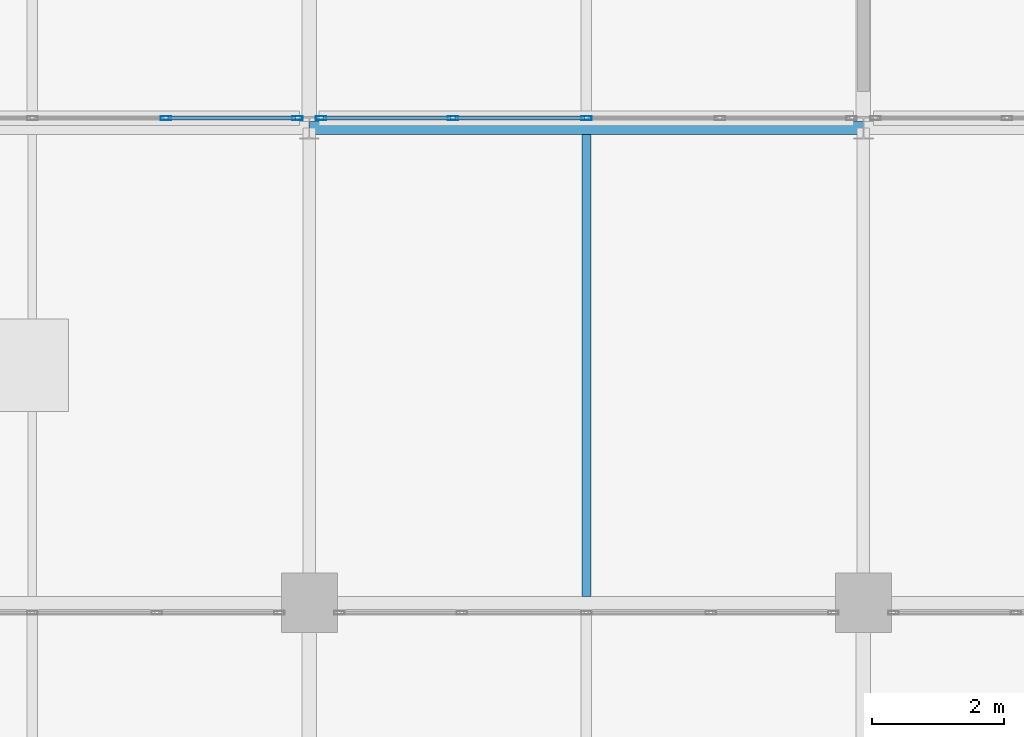
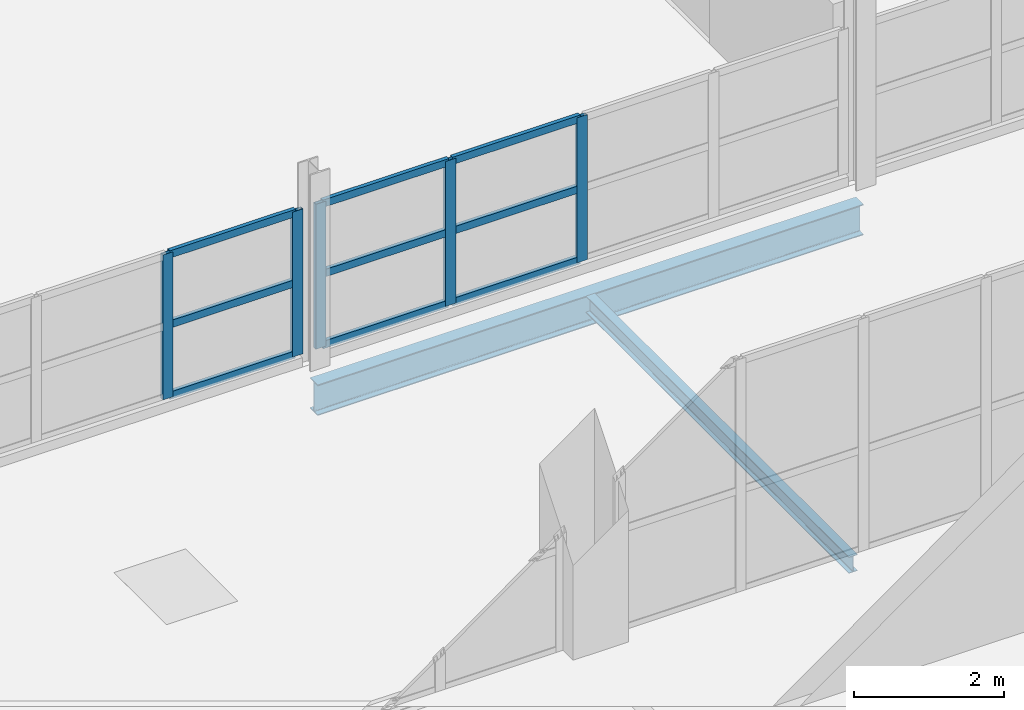
# One storey, part 24 of 103: 14 members, 2 beams, 2 elements without a shape of their own.
"""IFC4 building model written with IfcOpenShell, lengths in metres."""

from ifc_helpers import new_model, si_unit, direction, frame, origin, origin_2d, place, context, subcontext, project, spatial, hollow_rectangle, i_section, extrude, material, material_profile, profile_set, type_object, element, aggregate, save


model = new_model("IFC4")

# Units and contexts
model_context = context("Model", 3, precision=1e-05, world=origin(), true_north=direction((0.0, 1.0)))
body_context = subcontext(model_context, "Body", "Model", "MODEL_VIEW")
ifc_project = project(units=[si_unit("LENGTHUNIT", "METRE"), si_unit("AREAUNIT", "SQUARE_METRE"), si_unit("VOLUMEUNIT", "CUBIC_METRE"), si_unit("PLANEANGLEUNIT", "RADIAN"), si_unit("MASSUNIT", "GRAM", prefix="KILO")], contexts=[model_context])

# Site, building, storey
site_placement = place(None, origin())
site = spatial("IfcSite", under=ifc_project, at=site_placement, CompositionType="ELEMENT")
building_placement = place(site_placement, origin())
building = spatial("IfcBuilding", under=site, at=building_placement, Name="Veltarok Museum of Natural Sciences", CompositionType="ELEMENT")
storey_placement = place(building_placement, frame((0.0, 0.0, 21.89990234375)))
storey = spatial("IfcBuildingStorey", under=building, at=storey_placement, Name="L04", CompositionType="ELEMENT", Elevation=21.89990234375)

# Curtain wall, members
ifc_material_1 = material(Name="Low-iron triple insulated glass", Category="glass")
curtain_wall_type = type_object("IfcCurtainWallType", Name="Curtain Wall System CW-V2S-L04-810x236 (V2 South Setback L04 810x236cm)", PredefinedType="NOTDEFINED", material=ifc_material_1)
curtain_wall_1_placement = place(storey_placement, origin())
curtain_wall_1 = element("IfcCurtainWall", 1, at=curtain_wall_1_placement, inside=storey, type_object=curtain_wall_type, Name="Curtain Wall CW-V2S-L04-810x236 CW-0225", PredefinedType="NOTDEFINED")
ifc_material_2 = material(Name="Thermally broken anodised aluminium", Category="aluminium")
ifc_material_profile_1 = material_profile(ifc_material_2, hollow_rectangle(XDim=0.06005859375, YDim=0.1201171875, WallThickness=0.0048828125, at=origin_2d()), Name="CW TRANSOM 60x120x5")
ifc_profile_set_1 = profile_set([ifc_material_profile_1], Name="Thermally broken anodised aluminium")
member_type_1 = type_object("IfcMemberType", Name="Curtain Wall Horizontal Transom 60x120x5", PredefinedType="USERDEFINED", material=ifc_profile_set_1)
member_1_placement = place(storey_placement, frame((63.054931640625, 26.550048828125, 0.190185546875), z_axis=(1.0, 0.0, 0.0), x_axis=(0.0, 1.0, 0.0)))
member_1 = element("IfcMember", 2, at=member_1_placement, type_object=member_type_1, Name="CW-V2S-L04-810x236 transom 4.1", ObjectType="TRANSOM", PredefinedType="USERDEFINED", context=body_context, shape_type="SweptSolid", body=[
    extrude(hollow_rectangle(XDim=0.06005859375, YDim=0.1201171875, WallThickness=0.0048828125, at=origin_2d()), origin(), (0.0, 0.0, 1.0), 1.93505859375),
])
member_2_placement = place(storey_placement, frame((63.054931640625, 26.550048828125, 1.35009765625), z_axis=(1.0, 0.0, 0.0), x_axis=(0.0, 1.0, 0.0)))
member_2 = element("IfcMember", 3, at=member_2_placement, type_object=member_type_1, Name="CW-V2S-L04-810x236 transom 4.2", ObjectType="TRANSOM", PredefinedType="USERDEFINED", context=body_context, shape_type="SweptSolid", body=[
    extrude(hollow_rectangle(XDim=0.06005859375, YDim=0.1201171875, WallThickness=0.0048828125, at=origin_2d()), origin(), (0.0, 0.0, 1.0), 1.93505859375),
])
member_3_placement = place(storey_placement, frame((63.054931640625, 26.550048828125, 2.489990234375), z_axis=(1.0, 0.0, 0.0), x_axis=(0.0, 1.0, 0.0)))
member_3 = element("IfcMember", 4, at=member_3_placement, type_object=member_type_1, Name="CW-V2S-L04-810x236 transom 4.3", ObjectType="TRANSOM", PredefinedType="USERDEFINED", context=body_context, shape_type="SweptSolid", body=[
    extrude(hollow_rectangle(XDim=0.06005859375, YDim=0.1201171875, WallThickness=0.0048828125, at=origin_2d()), origin(), (0.0, 0.0, 1.0), 1.93505859375),
])

curtain_wall_2_placement = place(storey_placement, origin())
curtain_wall_2 = element("IfcCurtainWall", 5, at=curtain_wall_2_placement, inside=storey, type_object=curtain_wall_type, Name="Curtain Wall CW-V2S-L04-810x236 CW-0226", PredefinedType="NOTDEFINED")
member_4_placement = place(storey_placement, frame((65.409912109375, 26.550048828125, 0.190185546875), z_axis=(1.0, 0.0, 0.0), x_axis=(0.0, 1.0, 0.0)))
member_4 = element("IfcMember", 6, at=member_4_placement, type_object=member_type_1, Name="CW-V2S-L04-810x236 transom 1.1", ObjectType="TRANSOM", PredefinedType="USERDEFINED", context=body_context, shape_type="SweptSolid", body=[
    extrude(hollow_rectangle(XDim=0.06005859375, YDim=0.1201171875, WallThickness=0.0048828125, at=origin_2d()), origin(), (0.0, 0.0, 1.0), 1.93505859375),
])
member_5_placement = place(storey_placement, frame((65.409912109375, 26.550048828125, 1.35009765625), z_axis=(1.0, 0.0, 0.0), x_axis=(0.0, 1.0, 0.0)))
member_5 = element("IfcMember", 7, at=member_5_placement, type_object=member_type_1, Name="CW-V2S-L04-810x236 transom 1.2", ObjectType="TRANSOM", PredefinedType="USERDEFINED", context=body_context, shape_type="SweptSolid", body=[
    extrude(hollow_rectangle(XDim=0.06005859375, YDim=0.1201171875, WallThickness=0.0048828125, at=origin_2d()), origin(), (0.0, 0.0, 1.0), 1.93505859375),
])
member_6_placement = place(storey_placement, frame((65.409912109375, 26.550048828125, 2.489990234375), z_axis=(1.0, 0.0, 0.0), x_axis=(0.0, 1.0, 0.0)))
member_6 = element("IfcMember", 8, at=member_6_placement, type_object=member_type_1, Name="CW-V2S-L04-810x236 transom 1.3", ObjectType="TRANSOM", PredefinedType="USERDEFINED", context=body_context, shape_type="SweptSolid", body=[
    extrude(hollow_rectangle(XDim=0.06005859375, YDim=0.1201171875, WallThickness=0.0048828125, at=origin_2d()), origin(), (0.0, 0.0, 1.0), 1.93505859375),
])
member_7_placement = place(storey_placement, frame((67.405029296875, 26.550048828125, 0.190185546875), z_axis=(1.0, 0.0, 0.0), x_axis=(0.0, 1.0, 0.0)))
member_7 = element("IfcMember", 9, at=member_7_placement, type_object=member_type_1, Name="CW-V2S-L04-810x236 transom 2.1", ObjectType="TRANSOM", PredefinedType="USERDEFINED", context=body_context, shape_type="SweptSolid", body=[
    extrude(hollow_rectangle(XDim=0.06005859375, YDim=0.1201171875, WallThickness=0.0048828125, at=origin_2d()), origin(), (0.0, 0.0, 1.0), 1.965087890625),
])
member_8_placement = place(storey_placement, frame((67.405029296875, 26.550048828125, 1.35009765625), z_axis=(1.0, 0.0, 0.0), x_axis=(0.0, 1.0, 0.0)))
member_8 = element("IfcMember", 10, at=member_8_placement, type_object=member_type_1, Name="CW-V2S-L04-810x236 transom 2.2", ObjectType="TRANSOM", PredefinedType="USERDEFINED", context=body_context, shape_type="SweptSolid", body=[
    extrude(hollow_rectangle(XDim=0.06005859375, YDim=0.1201171875, WallThickness=0.0048828125, at=origin_2d()), origin(), (0.0, 0.0, 1.0), 1.965087890625),
])
member_9_placement = place(storey_placement, frame((67.405029296875, 26.550048828125, 2.489990234375), z_axis=(1.0, 0.0, 0.0), x_axis=(0.0, 1.0, 0.0)))
member_9 = element("IfcMember", 11, at=member_9_placement, type_object=member_type_1, Name="CW-V2S-L04-810x236 transom 2.3", ObjectType="TRANSOM", PredefinedType="USERDEFINED", context=body_context, shape_type="SweptSolid", body=[
    extrude(hollow_rectangle(XDim=0.06005859375, YDim=0.1201171875, WallThickness=0.0048828125, at=origin_2d()), origin(), (0.0, 0.0, 1.0), 1.965087890625),
])

# Member
ifc_material_profile_2 = material_profile(ifc_material_2, hollow_rectangle(XDim=0.06005859375, YDim=0.159912109375, WallThickness=0.0048828125, at=origin_2d()), Name="CW MULLION 60x160x5")
ifc_profile_set_2 = profile_set([ifc_material_profile_2], Name="Thermally broken anodised aluminium")
member_type_2 = type_object("IfcMemberType", Name="Curtain Wall Vertical Mullion 60x160x5", PredefinedType="MULLION", material=ifc_profile_set_2)
member_10_placement = place(storey_placement, frame((63.02490234375, 26.550048828125, 0.16015625), z_axis=(0.0, 0.0, 1.0), x_axis=(0.0, 1.0, 0.0)))
member_10 = element("IfcMember", 12, at=member_10_placement, type_object=member_type_2, Name="CW-V2S-L04-810x236 mullion 4", PredefinedType="MULLION", context=body_context, shape_type="SweptSolid", body=[
    extrude(hollow_rectangle(XDim=0.06005859375, YDim=0.159912109375, WallThickness=0.0048828125, at=origin_2d()), origin(), (0.0, 0.0, 1.0), 2.35986328125),
])

member_11_placement = place(storey_placement, frame((65.02001953125, 26.550048828125, 0.16015625), z_axis=(0.0, 0.0, 1.0), x_axis=(0.0, 1.0, 0.0)))
member_11 = element("IfcMember", 13, at=member_11_placement, type_object=member_type_2, Name="CW-V2S-L04-810x236 mullion 5", PredefinedType="MULLION", context=body_context, shape_type="SweptSolid", body=[
    extrude(hollow_rectangle(XDim=0.06005859375, YDim=0.159912109375, WallThickness=0.0048828125, at=origin_2d()), origin(), (0.0, 0.0, 1.0), 2.35986328125),
])

aggregate(curtain_wall_1, [member_10, member_11, member_1, member_2, member_3])

member_12_placement = place(storey_placement, frame((65.3798828125, 26.550048828125, 0.16015625), z_axis=(0.0, 0.0, 1.0), x_axis=(0.0, 1.0, 0.0)))
member_12 = element("IfcMember", 14, at=member_12_placement, type_object=member_type_2, Name="CW-V2S-L04-810x236 mullion 1", PredefinedType="MULLION", context=body_context, shape_type="SweptSolid", body=[
    extrude(hollow_rectangle(XDim=0.06005859375, YDim=0.159912109375, WallThickness=0.0048828125, at=origin_2d()), origin(), (0.0, 0.0, 1.0), 2.35986328125),
])

member_13_placement = place(storey_placement, frame((67.375, 26.550048828125, 0.16015625), z_axis=(0.0, 0.0, 1.0), x_axis=(0.0, 1.0, 0.0)))
member_13 = element("IfcMember", 15, at=member_13_placement, type_object=member_type_2, Name="CW-V2S-L04-810x236 mullion 2", PredefinedType="MULLION", context=body_context, shape_type="SweptSolid", body=[
    extrude(hollow_rectangle(XDim=0.06005859375, YDim=0.159912109375, WallThickness=0.0048828125, at=origin_2d()), origin(), (0.0, 0.0, 1.0), 2.35986328125),
])

member_14_placement = place(storey_placement, frame((69.39990234375, 26.550048828125, 0.16015625), z_axis=(0.0, 0.0, 1.0), x_axis=(0.0, 1.0, 0.0)))
member_14 = element("IfcMember", 16, at=member_14_placement, type_object=member_type_2, Name="CW-V2S-L04-810x236 mullion 3", PredefinedType="MULLION", context=body_context, shape_type="SweptSolid", body=[
    extrude(hollow_rectangle(XDim=0.06005859375, YDim=0.159912109375, WallThickness=0.0048828125, at=origin_2d()), origin(), (0.0, 0.0, 1.0), 2.35986328125),
])

aggregate(curtain_wall_2, [member_12, member_13, member_14, member_4, member_5, member_6, member_7, member_8, member_9])

# Beams
ifc_material_3 = material(Name="Steel S355J2", Category="steel")
ifc_material_profile_3 = material_profile(ifc_material_3, i_section(OverallWidth=0.135009765625, OverallDepth=0.27001953125, WebThickness=0.006591796875, FlangeThickness=0.01025390625, FilletRadius=0.014892578125, at=origin_2d()), Name="IPE 270")
ifc_profile_set_3 = profile_set([ifc_material_profile_3], Name="Steel S355J2")
beam_type_1 = type_object("IfcBeamType", Name="Short-Bay Composite Joist IPE 270", PredefinedType="JOIST", material=ifc_profile_set_3)
beam_1_placement = place(storey_placement, frame((69.39990234375, 19.298095703125, -0.385009765625), z_axis=(0.0, 1.0, 0.0), x_axis=(-1.0, 0.0, 0.0)))
element("IfcBeam", 17, at=beam_1_placement, inside=storey, type_object=beam_type_1, Name="Secondary Joist BM-J04 L04 8-9/C-D.1", PredefinedType="JOIST", context=body_context, shape_type="SweptSolid", body=[
    extrude(i_section(OverallWidth=0.135009765625, OverallDepth=0.27001953125, WebThickness=0.006591796875, FlangeThickness=0.01025390625, FilletRadius=0.014892578125, at=origin_2d()), origin(), (0.0, 0.0, 1.0), 7.00390625),
])
ifc_material_profile_4 = material_profile(ifc_material_3, i_section(OverallWidth=0.199951171875, OverallDepth=0.5, WebThickness=0.01025390625, FlangeThickness=0.01611328125, FilletRadius=0.02099609375, at=origin_2d()), Name="IPE 500")
ifc_profile_set_4 = profile_set([ifc_material_profile_4], Name="Steel S355J2")
beam_type_2 = type_object("IfcBeamType", Name="Standard Gallery Girder IPE 500", PredefinedType="BEAM", material=ifc_profile_set_4)
beam_2_placement = place(storey_placement, frame((65.199951171875, 26.39990234375, -0.5), z_axis=(1.0, 0.0, 0.0), x_axis=(0.0, 1.0, 0.0)))
element("IfcBeam", 18, at=beam_2_placement, inside=storey, type_object=beam_type_2, Name="Beam BM-G04 L04 8-9/D", PredefinedType="BEAM", context=body_context, shape_type="SweptSolid", body=[
    extrude(i_section(OverallWidth=0.199951171875, OverallDepth=0.5, WebThickness=0.01025390625, FlangeThickness=0.01611328125, FilletRadius=0.02099609375, at=origin_2d()), origin(), (0.0, 0.0, 1.0), 8.400146484375),
])

save(model, "model.ifc")
